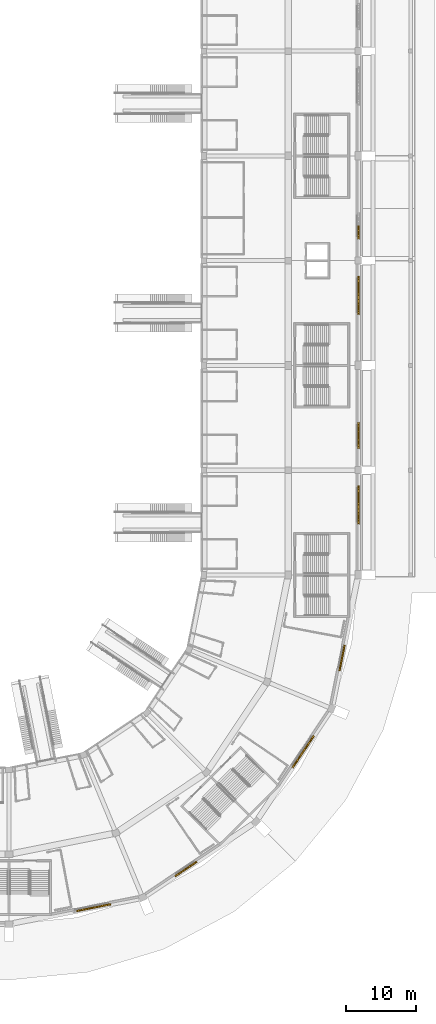
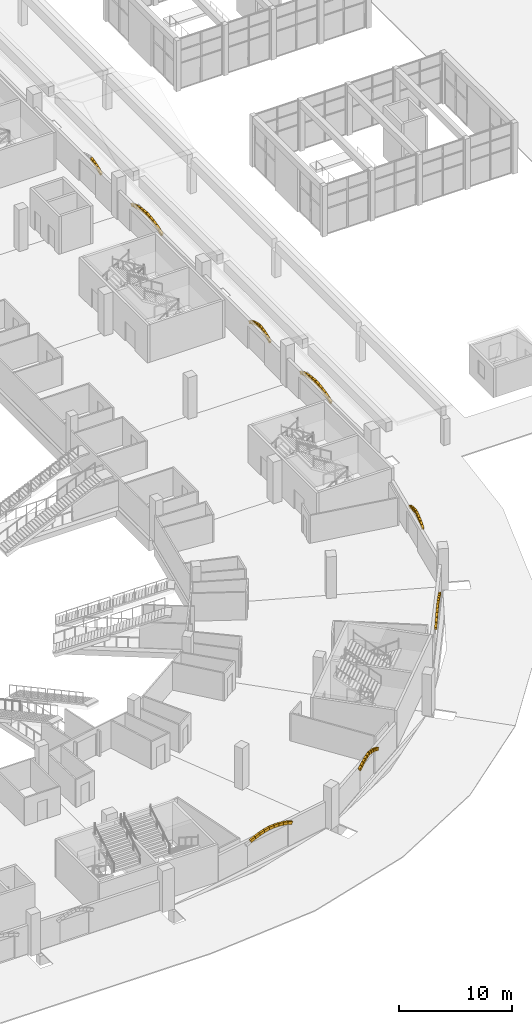
# One storey, part 171 of 175: 74 coverings.
"""IFC4 building model written with IfcOpenShell, lengths in metres."""

from ifc_helpers import new_model, si_unit, direction, frame, origin, origin_2d, place, context, subcontext, project, spatial, rectangle, extrude, material, material_profile, profile_set, type_object, element, save


model = new_model("IFC4")

# Units and contexts
model_context = context("Model", 3, precision=1e-05, world=origin(), true_north=direction((0.0, 1.0)))
body_context = subcontext(model_context, "Body", "Model", "MODEL_VIEW")
ifc_project = project(units=[si_unit("LENGTHUNIT", "METRE"), si_unit("AREAUNIT", "SQUARE_METRE"), si_unit("VOLUMEUNIT", "CUBIC_METRE"), si_unit("PLANEANGLEUNIT", "RADIAN"), si_unit("MASSUNIT", "GRAM", prefix="KILO")], contexts=[model_context])

# Site, building, storey
site_placement = place(None, origin())
site = spatial("IfcSite", under=ifc_project, at=site_placement, CompositionType="ELEMENT")
building_placement = place(site_placement, origin())
building = spatial("IfcBuilding", under=site, at=building_placement, Name="Ogive Plaza Stadium", CompositionType="ELEMENT")
storey_placement = place(building_placement, origin())
storey = spatial("IfcBuildingStorey", under=building, at=storey_placement, Name="L00", CompositionType="ELEMENT", Elevation=0.0)

# Coverings
ifc_material = material(Name="Cast stone (reconstituted limestone)", Category="masonry")
ifc_material_profile = material_profile(ifc_material, rectangle(XDim=0.199951171875, YDim=0.300048828125, at=origin_2d()), Name="Cast stone 200x300")
ifc_profile_set = profile_set([ifc_material_profile], Name="Cast stone (reconstituted limestone)")
covering_type = type_object("IfcCoveringType", Name="Portal arch rib 200x300", PredefinedType="MOLDING", material=ifc_profile_set)
covering_1_placement = place(storey_placement, frame((84.050048828125, -2.564208984375, 3.147705078125), z_axis=(0.0, -0.984068736563, -0.177788418406), x_axis=(1.0, 0.0, 0.0)))
element("IfcCovering", 1, at=covering_1_placement, inside=storey, type_object=covering_type, Name="PORTAL ARCH B04 6", PredefinedType="MOLDING", context=body_context, shape_type="SweptSolid", body=[
    extrude(rectangle(XDim=0.199951171875, YDim=0.300048828125, at=origin_2d()), origin(), (0.0, 0.0, 1.0), 0.3720703125),
])
covering_2_placement = place(storey_placement, frame((84.050048828125, -2.94140625, 3.0791015625), z_axis=(0.0, -0.967943772802, -0.251166981696), x_axis=(1.0, 0.0, 0.0)))
element("IfcCovering", 2, at=covering_2_placement, inside=storey, type_object=covering_type, Name="PORTAL ARCH B04 7", PredefinedType="MOLDING", context=body_context, shape_type="SweptSolid", body=[
    extrude(rectangle(XDim=0.199951171875, YDim=0.300048828125, at=origin_2d()), origin(), (0.0, 0.0, 1.0), 0.372314453125),
])
for number, where, z_axis, x_axis, name in (
    (3, (84.050048828125, -3.3125, 2.982177734375), (0.0, -0.946026425691, -0.324089496735), (1.0, 0.0, 0.0), "PORTAL ARCH B04 8"),
    (4, (84.050048828125, -3.67529296875, 2.857421875), (0.0, -0.91866918758, -0.395027750659), (1.0, 0.0, 0.0), "PORTAL ARCH B04 9"),
):
    element("IfcCovering", number, at=place(storey_placement, frame(where, z_axis=z_axis, x_axis=x_axis)), inside=storey, type_object=covering_type, Name=name, PredefinedType="MOLDING", context=body_context, shape_type="SweptSolid", body=[
        extrude(rectangle(XDim=0.199951171875, YDim=0.300048828125, at=origin_2d()), origin(), (0.0, 0.0, 1.0), 0.3720703125),
    ])
covering_3_placement = place(storey_placement, frame((84.050048828125, -4.02734375, 2.70556640625), z_axis=(0.0, -0.886011177193, -0.463663880293), x_axis=(1.0, 0.0, 0.0)))
element("IfcCovering", 5, at=covering_3_placement, inside=storey, type_object=covering_type, Name="PORTAL ARCH B04 10", PredefinedType="MOLDING", context=body_context, shape_type="SweptSolid", body=[
    extrude(rectangle(XDim=0.199951171875, YDim=0.300048828125, at=origin_2d()), origin(), (0.0, 0.0, 1.0), 0.372314453125),
])
covering_4_placement = place(storey_placement, frame((84.050048828125, -9.75830078125, 2.539794921875), z_axis=(0.0, -0.932339785038, 0.361583358627), x_axis=(1.0, 0.0, 0.0)))
element("IfcCovering", 6, at=covering_4_placement, inside=storey, type_object=covering_type, Name="PORTAL ARCH B05 1", PredefinedType="MOLDING", context=body_context, shape_type="SweptSolid", body=[
    extrude(rectangle(XDim=0.199951171875, YDim=0.300048828125, at=origin_2d()), origin(), (0.0, 0.0, 1.0), 0.546142578125),
])
covering_5_placement = place(storey_placement, frame((84.050048828125, -10.278076171875, 2.740966796875), z_axis=(0.0, -0.956375841274, 0.292139093972), x_axis=(1.0, 0.0, 0.0)))
element("IfcCovering", 7, at=covering_5_placement, inside=storey, type_object=covering_type, Name="PORTAL ARCH B05 2", PredefinedType="MOLDING", context=body_context, shape_type="SweptSolid", body=[
    extrude(rectangle(XDim=0.199951171875, YDim=0.300048828125, at=origin_2d()), origin(), (0.0, 0.0, 1.0), 0.546630859375),
])
covering_6_placement = place(storey_placement, frame((84.050048828125, -10.811279296875, 2.9033203125), z_axis=(0.0, -0.975242447538, 0.221138347014), x_axis=(1.0, 0.0, 0.0)))
element("IfcCovering", 8, at=covering_6_placement, inside=storey, type_object=covering_type, Name="PORTAL ARCH B05 3", PredefinedType="MOLDING", context=body_context, shape_type="SweptSolid", body=[
    extrude(rectangle(XDim=0.199951171875, YDim=0.300048828125, at=origin_2d()), origin(), (0.0, 0.0, 1.0), 0.54638671875),
])
covering_7_placement = place(storey_placement, frame((84.050048828125, -11.35498046875, 3.026123046875), z_axis=(0.0, -0.988942904622, 0.148296767992), x_axis=(1.0, 0.0, 0.0)))
element("IfcCovering", 9, at=covering_7_placement, inside=storey, type_object=covering_type, Name="PORTAL ARCH B05 4", PredefinedType="MOLDING", context=body_context, shape_type="SweptSolid", body=[
    extrude(rectangle(XDim=0.199951171875, YDim=0.300048828125, at=origin_2d()), origin(), (0.0, 0.0, 1.0), 0.546630859375),
])
for number, where, z_axis, x_axis, name in (
    (10, (84.050048828125, -11.906494140625, 3.1083984375), (0.0, -0.997143198104, 0.075534379417), (1.0, 0.0, 0.0), "PORTAL ARCH B05 5"),
    (11, (84.050048828125, -12.473876953125, 3.149658203125), (0.0, -0.997143198104, -0.075534379417), (1.0, 0.0, 0.0), "PORTAL ARCH B05 6"),
):
    element("IfcCovering", number, at=place(storey_placement, frame(where, z_axis=z_axis, x_axis=x_axis)), inside=storey, type_object=covering_type, Name=name, PredefinedType="MOLDING", context=body_context, shape_type="SweptSolid", body=[
        extrude(rectangle(XDim=0.199951171875, YDim=0.300048828125, at=origin_2d()), origin(), (0.0, 0.0, 1.0), 0.546142578125),
    ])
for number, where, z_axis, x_axis, name in (
    (12, (84.050048828125, -13.029541015625, 3.107177734375), (0.0, -0.988933074819, -0.148362304944), (1.0, 0.0, 0.0), "PORTAL ARCH B05 7"),
    (13, (84.050048828125, -13.580810546875, 3.024169921875), (0.0, -0.975242447538, -0.221138347014), (1.0, 0.0, 0.0), "PORTAL ARCH B05 8"),
):
    element("IfcCovering", number, at=place(storey_placement, frame(where, z_axis=z_axis, x_axis=x_axis)), inside=storey, type_object=covering_type, Name=name, PredefinedType="MOLDING", context=body_context, shape_type="SweptSolid", body=[
        extrude(rectangle(XDim=0.199951171875, YDim=0.300048828125, at=origin_2d()), origin(), (0.0, 0.0, 1.0), 0.54638671875),
    ])
covering_8_placement = place(storey_placement, frame((84.050048828125, -14.124267578125, 2.900634765625), z_axis=(0.0, -0.956375841274, -0.292139093972), x_axis=(1.0, 0.0, 0.0)))
element("IfcCovering", 14, at=covering_8_placement, inside=storey, type_object=covering_type, Name="PORTAL ARCH B05 9", PredefinedType="MOLDING", context=body_context, shape_type="SweptSolid", body=[
    extrude(rectangle(XDim=0.199951171875, YDim=0.300048828125, at=origin_2d()), origin(), (0.0, 0.0, 1.0), 0.546630859375),
])
covering_9_placement = place(storey_placement, frame((84.050048828125, -14.6572265625, 2.7373046875), z_axis=(0.0, -0.932398184034, -0.361432741199), x_axis=(1.0, 0.0, 0.0)))
element("IfcCovering", 15, at=covering_9_placement, inside=storey, type_object=covering_type, Name="PORTAL ARCH B05 10", PredefinedType="MOLDING", context=body_context, shape_type="SweptSolid", body=[
    extrude(rectangle(XDim=0.199951171875, YDim=0.300048828125, at=origin_2d()), origin(), (0.0, 0.0, 1.0), 0.54638671875),
])
covering_10_placement = place(storey_placement, frame((84.050048828125, -30.718017578125, 2.532958984375), z_axis=(0.0, -0.885870063545, 0.463933433279), x_axis=(1.0, 0.0, 0.0)))
element("IfcCovering", 16, at=covering_10_placement, inside=storey, type_object=covering_type, Name="PORTAL ARCH B06 1", PredefinedType="MOLDING", context=body_context, shape_type="SweptSolid", body=[
    extrude(rectangle(XDim=0.199951171875, YDim=0.300048828125, at=origin_2d()), origin(), (0.0, 0.0, 1.0), 0.3720703125),
])
covering_11_placement = place(storey_placement, frame((84.050048828125, -31.057861328125, 2.71044921875), z_axis=(0.0, -0.918771491846, 0.394789748816), x_axis=(1.0, 0.0, 0.0)))
element("IfcCovering", 17, at=covering_11_placement, inside=storey, type_object=covering_type, Name="PORTAL ARCH B06 2", PredefinedType="MOLDING", context=body_context, shape_type="SweptSolid", body=[
    extrude(rectangle(XDim=0.199951171875, YDim=0.300048828125, at=origin_2d()), origin(), (0.0, 0.0, 1.0), 0.372314453125),
])
for number, where, z_axis, x_axis, name in (
    (18, (84.050048828125, -31.410400390625, 2.861572265625), (0.0, -0.946026425691, 0.324089496735), (1.0, 0.0, 0.0), "PORTAL ARCH B06 3"),
    (19, (84.050048828125, -31.7734375, 2.985595703125), (0.0, -0.96790236306, 0.2513265119), (1.0, 0.0, 0.0), "PORTAL ARCH B06 4"),
):
    element("IfcCovering", number, at=place(storey_placement, frame(where, z_axis=z_axis, x_axis=x_axis)), inside=storey, type_object=covering_type, Name=name, PredefinedType="MOLDING", context=body_context, shape_type="SweptSolid", body=[
        extrude(rectangle(XDim=0.199951171875, YDim=0.300048828125, at=origin_2d()), origin(), (0.0, 0.0, 1.0), 0.3720703125),
    ])
covering_12_placement = place(storey_placement, frame((84.050048828125, -32.14453125, 3.08154296875), z_axis=(0.0, -0.984089453269, 0.177673712083), x_axis=(1.0, 0.0, 0.0)))
element("IfcCovering", 20, at=covering_12_placement, inside=storey, type_object=covering_type, Name="PORTAL ARCH B06 5", PredefinedType="MOLDING", context=body_context, shape_type="SweptSolid", body=[
    extrude(rectangle(XDim=0.199951171875, YDim=0.300048828125, at=origin_2d()), origin(), (0.0, 0.0, 1.0), 0.372314453125),
])
covering_13_placement = place(storey_placement, frame((84.050048828125, -32.564208984375, 3.147705078125), z_axis=(0.0, -0.984068736563, -0.177788418406), x_axis=(1.0, 0.0, 0.0)))
element("IfcCovering", 21, at=covering_13_placement, inside=storey, type_object=covering_type, Name="PORTAL ARCH B06 6", PredefinedType="MOLDING", context=body_context, shape_type="SweptSolid", body=[
    extrude(rectangle(XDim=0.199951171875, YDim=0.300048828125, at=origin_2d()), origin(), (0.0, 0.0, 1.0), 0.3720703125),
])
covering_14_placement = place(storey_placement, frame((84.050048828125, -32.94140625, 3.0791015625), z_axis=(0.0, -0.967943772802, -0.251166981696), x_axis=(1.0, 0.0, 0.0)))
element("IfcCovering", 22, at=covering_14_placement, inside=storey, type_object=covering_type, Name="PORTAL ARCH B06 7", PredefinedType="MOLDING", context=body_context, shape_type="SweptSolid", body=[
    extrude(rectangle(XDim=0.199951171875, YDim=0.300048828125, at=origin_2d()), origin(), (0.0, 0.0, 1.0), 0.372314453125),
])
for number, where, z_axis, x_axis, name in (
    (23, (84.050048828125, -33.3125, 2.982177734375), (0.0, -0.946026425691, -0.324089496735), (1.0, 0.0, 0.0), "PORTAL ARCH B06 8"),
    (24, (84.050048828125, -33.67529296875, 2.857421875), (0.0, -0.91866918758, -0.395027750659), (1.0, 0.0, 0.0), "PORTAL ARCH B06 9"),
):
    element("IfcCovering", number, at=place(storey_placement, frame(where, z_axis=z_axis, x_axis=x_axis)), inside=storey, type_object=covering_type, Name=name, PredefinedType="MOLDING", context=body_context, shape_type="SweptSolid", body=[
        extrude(rectangle(XDim=0.199951171875, YDim=0.300048828125, at=origin_2d()), origin(), (0.0, 0.0, 1.0), 0.3720703125),
    ])
covering_15_placement = place(storey_placement, frame((84.050048828125, -34.02734375, 2.70556640625), z_axis=(0.0, -0.886011177193, -0.463663880293), x_axis=(1.0, 0.0, 0.0)))
element("IfcCovering", 25, at=covering_15_placement, inside=storey, type_object=covering_type, Name="PORTAL ARCH B06 10", PredefinedType="MOLDING", context=body_context, shape_type="SweptSolid", body=[
    extrude(rectangle(XDim=0.199951171875, YDim=0.300048828125, at=origin_2d()), origin(), (0.0, 0.0, 1.0), 0.372314453125),
])
covering_16_placement = place(storey_placement, frame((84.050048828125, -39.75830078125, 2.539794921875), z_axis=(0.0, -0.932339785038, 0.361583358627), x_axis=(1.0, 0.0, 0.0)))
element("IfcCovering", 26, at=covering_16_placement, inside=storey, type_object=covering_type, Name="PORTAL ARCH B07 1", PredefinedType="MOLDING", context=body_context, shape_type="SweptSolid", body=[
    extrude(rectangle(XDim=0.199951171875, YDim=0.300048828125, at=origin_2d()), origin(), (0.0, 0.0, 1.0), 0.546142578125),
])
covering_17_placement = place(storey_placement, frame((84.050048828125, -40.278076171875, 2.740966796875), z_axis=(0.0, -0.956375841274, 0.292139093972), x_axis=(1.0, 0.0, 0.0)))
element("IfcCovering", 27, at=covering_17_placement, inside=storey, type_object=covering_type, Name="PORTAL ARCH B07 2", PredefinedType="MOLDING", context=body_context, shape_type="SweptSolid", body=[
    extrude(rectangle(XDim=0.199951171875, YDim=0.300048828125, at=origin_2d()), origin(), (0.0, 0.0, 1.0), 0.546630859375),
])
covering_18_placement = place(storey_placement, frame((84.050048828125, -40.811279296875, 2.9033203125), z_axis=(0.0, -0.975242447538, 0.221138347014), x_axis=(1.0, 0.0, 0.0)))
element("IfcCovering", 28, at=covering_18_placement, inside=storey, type_object=covering_type, Name="PORTAL ARCH B07 3", PredefinedType="MOLDING", context=body_context, shape_type="SweptSolid", body=[
    extrude(rectangle(XDim=0.199951171875, YDim=0.300048828125, at=origin_2d()), origin(), (0.0, 0.0, 1.0), 0.54638671875),
])
covering_19_placement = place(storey_placement, frame((84.050048828125, -41.35498046875, 3.026123046875), z_axis=(0.0, -0.988942904622, 0.148296767992), x_axis=(1.0, 0.0, 0.0)))
element("IfcCovering", 29, at=covering_19_placement, inside=storey, type_object=covering_type, Name="PORTAL ARCH B07 4", PredefinedType="MOLDING", context=body_context, shape_type="SweptSolid", body=[
    extrude(rectangle(XDim=0.199951171875, YDim=0.300048828125, at=origin_2d()), origin(), (0.0, 0.0, 1.0), 0.546630859375),
])
for number, where, z_axis, x_axis, name in (
    (30, (84.050048828125, -41.906494140625, 3.1083984375), (0.0, -0.997143198104, 0.075534379417), (1.0, 0.0, 0.0), "PORTAL ARCH B07 5"),
    (31, (84.050048828125, -42.473876953125, 3.149658203125), (0.0, -0.997143198104, -0.075534379417), (1.0, 0.0, 0.0), "PORTAL ARCH B07 6"),
):
    element("IfcCovering", number, at=place(storey_placement, frame(where, z_axis=z_axis, x_axis=x_axis)), inside=storey, type_object=covering_type, Name=name, PredefinedType="MOLDING", context=body_context, shape_type="SweptSolid", body=[
        extrude(rectangle(XDim=0.199951171875, YDim=0.300048828125, at=origin_2d()), origin(), (0.0, 0.0, 1.0), 0.546142578125),
    ])
for number, where, z_axis, x_axis, name in (
    (32, (84.050048828125, -43.029541015625, 3.107177734375), (0.0, -0.988933074819, -0.148362304944), (1.0, 0.0, 0.0), "PORTAL ARCH B07 7"),
    (33, (84.050048828125, -43.580810546875, 3.024169921875), (0.0, -0.975242447538, -0.221138347014), (1.0, 0.0, 0.0), "PORTAL ARCH B07 8"),
):
    element("IfcCovering", number, at=place(storey_placement, frame(where, z_axis=z_axis, x_axis=x_axis)), inside=storey, type_object=covering_type, Name=name, PredefinedType="MOLDING", context=body_context, shape_type="SweptSolid", body=[
        extrude(rectangle(XDim=0.199951171875, YDim=0.300048828125, at=origin_2d()), origin(), (0.0, 0.0, 1.0), 0.54638671875),
    ])
covering_20_placement = place(storey_placement, frame((84.050048828125, -44.124267578125, 2.900634765625), z_axis=(0.0, -0.956375841274, -0.292139093972), x_axis=(1.0, 0.0, 0.0)))
element("IfcCovering", 34, at=covering_20_placement, inside=storey, type_object=covering_type, Name="PORTAL ARCH B07 9", PredefinedType="MOLDING", context=body_context, shape_type="SweptSolid", body=[
    extrude(rectangle(XDim=0.199951171875, YDim=0.300048828125, at=origin_2d()), origin(), (0.0, 0.0, 1.0), 0.546630859375),
])
covering_21_placement = place(storey_placement, frame((84.050048828125, -44.6572265625, 2.7373046875), z_axis=(0.0, -0.932398184034, -0.361432741199), x_axis=(1.0, 0.0, 0.0)))
element("IfcCovering", 35, at=covering_21_placement, inside=storey, type_object=covering_type, Name="PORTAL ARCH B07 10", PredefinedType="MOLDING", context=body_context, shape_type="SweptSolid", body=[
    extrude(rectangle(XDim=0.199951171875, YDim=0.300048828125, at=origin_2d()), origin(), (0.0, 0.0, 1.0), 0.54638671875),
])
covering_22_placement = place(storey_placement, frame((82.0439453125, -62.589599609375, 2.532958984375), z_axis=(-0.172495438518, -0.86903595451, 0.463704467803), x_axis=(0.980864363446, -0.194692322707, 0.0)))
element("IfcCovering", 36, at=covering_22_placement, inside=storey, type_object=covering_type, Name="PORTAL ARCH B08 1", PredefinedType="MOLDING", context=body_context, shape_type="SweptSolid", body=[
    extrude(rectangle(XDim=0.199951171875, YDim=0.300048828125, at=origin_2d()), origin(), (0.0, 0.0, 1.0), 0.372314453125),
])
for number, where, z_axis, x_axis, name in (
    (37, (81.977783203125, -62.923095703125, 2.71044921875), (-0.179788748999, -0.90091223495, 0.395010317145), (0.980663002383, -0.195704051459, 0.0), "PORTAL ARCH B08 2"),
    (38, (81.908935546875, -63.268798828125, 2.861572265625), (-0.184390466473, -0.927858076845, 0.324159752448), (0.980820050121, -0.194915441361, 0.0), "PORTAL ARCH B08 3"),
    (39, (81.838134765625, -63.624755859375, 2.985595703125), (-0.18894115676, -0.949298103584, 0.251265496664), (0.980762733237, -0.195203640064, 0.0), "PORTAL ARCH B08 4"),
    (40, (81.765625, -63.989013671875, 3.08154296875), (-0.191602287307, -0.965229330918, 0.177822670754), (0.980861768578, -0.194705395258, 0.0), "PORTAL ARCH B08 5"),
    (41, (81.683837890625, -64.400390625, 3.147705078125), (-0.192234251186, -0.965107793495, -0.177800280107), (0.980734230685, -0.19534679102, 0.0), "PORTAL ARCH B08 6"),
    (42, (81.6103515625, -64.7705078125, 3.0791015625), (-0.18894115676, -0.949298103584, -0.251265496664), (0.980762733237, -0.195203640064, 0.0), "PORTAL ARCH B08 7"),
    (43, (81.537841796875, -65.134521484375, 2.982177734375), (-0.184390466473, -0.927858076845, -0.324159752448), (0.980820050121, -0.194915441361, 0.0), "PORTAL ARCH B08 8"),
):
    element("IfcCovering", number, at=place(storey_placement, frame(where, z_axis=z_axis, x_axis=x_axis)), inside=storey, type_object=covering_type, Name=name, PredefinedType="MOLDING", context=body_context, shape_type="SweptSolid", body=[
        extrude(rectangle(XDim=0.199951171875, YDim=0.300048828125, at=origin_2d()), origin(), (0.0, 0.0, 1.0), 0.3720703125),
    ])
for number, where, z_axis, x_axis, name in (
    (44, (81.467041015625, -65.489990234375, 2.857421875), (-0.179047807757, -0.901141713766, -0.394823370951), (0.98082699853, -0.194880473507, 0.0), "PORTAL ARCH B08 9"),
    (45, (81.3984375, -65.83544921875, 2.70556640625), (-0.173131691217, -0.868937465388, -0.463651915494), (0.98072275744, -0.195404383369, 0.0), "PORTAL ARCH B08 10"),
):
    element("IfcCovering", number, at=place(storey_placement, frame(where, z_axis=z_axis, x_axis=x_axis)), inside=storey, type_object=covering_type, Name=name, PredefinedType="MOLDING", context=body_context, shape_type="SweptSolid", body=[
        extrude(rectangle(XDim=0.199951171875, YDim=0.300048828125, at=origin_2d()), origin(), (0.0, 0.0, 1.0), 0.372314453125),
    ])
covering_23_placement = place(storey_placement, frame((77.6201171875, -75.576416015625, 2.539794921875), z_axis=(-0.518233953801, -0.77511716366, 0.361423507436), x_axis=(0.831312417178, -0.55580542013, 0.0)))
element("IfcCovering", 46, at=covering_23_placement, inside=storey, type_object=covering_type, Name="PORTAL ARCH B09 1", PredefinedType="MOLDING", context=body_context, shape_type="SweptSolid", body=[
    extrude(rectangle(XDim=0.199951171875, YDim=0.300048828125, at=origin_2d()), origin(), (0.0, 0.0, 1.0), 0.54638671875),
])
covering_24_placement = place(storey_placement, frame((77.331298828125, -76.008544921875, 2.740966796875), z_axis=(-0.531535251305, -0.795069535565, 0.292121054079), x_axis=(0.831331073324, -0.555777515312, 0.0)))
element("IfcCovering", 47, at=covering_24_placement, inside=storey, type_object=covering_type, Name="PORTAL ARCH B09 2", PredefinedType="MOLDING", context=body_context, shape_type="SweptSolid", body=[
    extrude(rectangle(XDim=0.199951171875, YDim=0.300048828125, at=origin_2d()), origin(), (0.0, 0.0, 1.0), 0.546630859375),
])
for number, where, z_axis, x_axis, name in (
    (48, (77.034912109375, -76.451904296875, 2.9033203125), (-0.54189495829, -0.81083210989, 0.22113602997), (0.831415485573, -0.555651230854, 0.0), "PORTAL ARCH B09 3"),
    (49, (76.73291015625, -76.904052734375, 3.026123046875), (-0.549593466086, -0.822156079348, 0.148345553448), (0.831354528555, -0.555742429414, 0.0), "PORTAL ARCH B09 4"),
    (50, (76.426513671875, -77.362548828125, 3.1083984375), (-0.55414679151, -0.828985724395, 0.075524844972), (0.831360155258, -0.55573401214, 0.0), "PORTAL ARCH B09 5"),
):
    element("IfcCovering", number, at=place(storey_placement, frame(where, z_axis=z_axis, x_axis=x_axis)), inside=storey, type_object=covering_type, Name=name, PredefinedType="MOLDING", context=body_context, shape_type="SweptSolid", body=[
        extrude(rectangle(XDim=0.199951171875, YDim=0.300048828125, at=origin_2d()), origin(), (0.0, 0.0, 1.0), 0.54638671875),
    ])
covering_25_placement = place(storey_placement, frame((76.111328125, -77.834228515625, 3.149658203125), z_axis=(-0.553941556835, -0.829125427005, -0.075496873472), x_axis=(0.831498491688, -0.555527009533, 0.0)))
element("IfcCovering", 51, at=covering_25_placement, inside=storey, type_object=covering_type, Name="PORTAL ARCH B09 6", PredefinedType="MOLDING", context=body_context, shape_type="SweptSolid", body=[
    extrude(rectangle(XDim=0.199951171875, YDim=0.300048828125, at=origin_2d()), origin(), (0.0, 0.0, 1.0), 0.546630859375),
])
covering_26_placement = place(storey_placement, frame((75.802490234375, -78.29638671875, 3.107177734375), z_axis=(-0.549281491744, -0.82235796974, -0.148381981496), x_axis=(0.831563273147, -0.555430034075, 0.0)))
element("IfcCovering", 52, at=covering_26_placement, inside=storey, type_object=covering_type, Name="PORTAL ARCH B09 7", PredefinedType="MOLDING", context=body_context, shape_type="SweptSolid", body=[
    extrude(rectangle(XDim=0.199951171875, YDim=0.300048828125, at=origin_2d()), origin(), (0.0, 0.0, 1.0), 0.546142578125),
])
for number, where, z_axis, x_axis, name in (
    (53, (75.496337890625, -78.754638671875, 3.024169921875), (-0.54189495829, -0.81083210989, -0.22113602997), (0.831415485573, -0.555651230854, 0.0), "PORTAL ARCH B09 8"),
    (54, (75.1943359375, -79.20654296875, 2.900634765625), (-0.531214665949, -0.795258288805, -0.292190404988), (0.831546855489, -0.555454613021, 0.0), "PORTAL ARCH B09 9"),
    (55, (74.898193359375, -79.64990234375, 2.7373046875), (-0.517907069868, -0.775296605885, -0.361507178191), (0.831533797008, -0.555474161805, 0.0), "PORTAL ARCH B09 10"),
):
    element("IfcCovering", number, at=place(storey_placement, frame(where, z_axis=z_axis, x_axis=x_axis)), inside=storey, type_object=covering_type, Name=name, PredefinedType="MOLDING", context=body_context, shape_type="SweptSolid", body=[
        extrude(rectangle(XDim=0.199951171875, YDim=0.300048828125, at=origin_2d()), origin(), (0.0, 0.0, 1.0), 0.54638671875),
    ])
covering_27_placement = place(storey_placement, frame((60.837890625, -93.606689453125, 2.532958984375), z_axis=(-0.736733594682, -0.492030450589, 0.463820704755), x_axis=(0.555383558036, -0.831594314232, 0.0)))
element("IfcCovering", 56, at=covering_27_placement, inside=storey, type_object=covering_type, Name="PORTAL ARCH B10 1", PredefinedType="MOLDING", context=body_context, shape_type="SweptSolid", body=[
    extrude(rectangle(XDim=0.199951171875, YDim=0.300048828125, at=origin_2d()), origin(), (0.0, 0.0, 1.0), 0.3720703125),
])
covering_28_placement = place(storey_placement, frame((60.55517578125, -93.795654296875, 2.71044921875), z_axis=(-0.764051393977, -0.510242046793, 0.394814540064), x_axis=(0.55535894134, -0.831610754063, 0.0)))
element("IfcCovering", 57, at=covering_28_placement, inside=storey, type_object=covering_type, Name="PORTAL ARCH B10 2", PredefinedType="MOLDING", context=body_context, shape_type="SweptSolid", body=[
    extrude(rectangle(XDim=0.199951171875, YDim=0.300048828125, at=origin_2d()), origin(), (0.0, 0.0, 1.0), 0.372314453125),
])
covering_29_placement = place(storey_placement, frame((60.261962890625, -93.991455078125, 2.861572265625), z_axis=(-0.786633308415, -0.525515663086, 0.324100795961), x_axis=(0.555500141576, -0.831516441635, 0.0)))
element("IfcCovering", 58, at=covering_29_placement, inside=storey, type_object=covering_type, Name="PORTAL ARCH B10 3", PredefinedType="MOLDING", context=body_context, shape_type="SweptSolid", body=[
    extrude(rectangle(XDim=0.199951171875, YDim=0.300048828125, at=origin_2d()), origin(), (0.0, 0.0, 1.0), 0.3720703125),
])
covering_30_placement = place(storey_placement, frame((59.960205078125, -94.193115234375, 2.985595703125), z_axis=(-0.804817202858, -0.537638898157, 0.251423318674), x_axis=(0.555482541093, -0.831528199487, 0.0)))
element("IfcCovering", 59, at=covering_30_placement, inside=storey, type_object=covering_type, Name="PORTAL ARCH B10 4", PredefinedType="MOLDING", context=body_context, shape_type="SweptSolid", body=[
    extrude(rectangle(XDim=0.199951171875, YDim=0.300048828125, at=origin_2d()), origin(), (0.0, 0.0, 1.0), 0.371826171875),
])
covering_31_placement = place(storey_placement, frame((59.651611328125, -94.3994140625, 3.08154296875), z_axis=(-0.818499863145, -0.546322424679, 0.177735146564), x_axis=(0.555161506596, -0.831742569305, 0.0)))
element("IfcCovering", 60, at=covering_31_placement, inside=storey, type_object=covering_type, Name="PORTAL ARCH B10 5", PredefinedType="MOLDING", context=body_context, shape_type="SweptSolid", body=[
    extrude(rectangle(XDim=0.199951171875, YDim=0.300048828125, at=origin_2d()), origin(), (0.0, 0.0, 1.0), 0.372314453125),
])
covering_32_placement = place(storey_placement, frame((59.302734375, -94.63232421875, 3.147705078125), z_axis=(-0.817989692207, -0.547075704331, -0.177766805604), x_axis=(0.555930204256, -0.831228974469, 0.0)))
element("IfcCovering", 61, at=covering_32_placement, inside=storey, type_object=covering_type, Name="PORTAL ARCH B10 6", PredefinedType="MOLDING", context=body_context, shape_type="SweptSolid", body=[
    extrude(rectangle(XDim=0.199951171875, YDim=0.300048828125, at=origin_2d()), origin(), (0.0, 0.0, 1.0), 0.3720703125),
])
for number, where, z_axis, x_axis, name in (
    (62, (58.989013671875, -94.842041015625, 3.0791015625), (-0.804764415052, -0.537821369472, -0.251201932327), (0.555638069208, -0.831424281608, 0.0), "PORTAL ARCH B10 7"),
    (63, (58.680419921875, -95.048095703125, 2.982177734375), (-0.786362066074, -0.525990306081, -0.323989041402), (0.555979369769, -0.831196090216, 0.0), "PORTAL ARCH B10 8"),
):
    element("IfcCovering", number, at=place(storey_placement, frame(where, z_axis=z_axis, x_axis=x_axis)), inside=storey, type_object=covering_type, Name=name, PredefinedType="MOLDING", context=body_context, shape_type="SweptSolid", body=[
        extrude(rectangle(XDim=0.199951171875, YDim=0.300048828125, at=origin_2d()), origin(), (0.0, 0.0, 1.0), 0.372314453125),
    ])
for number, where, z_axis, x_axis, name in (
    (64, (58.37890625, -95.249755859375, 2.857421875), (-0.763778212162, -0.510497808472, -0.39501244306), (0.555688769979, -0.831390396215, 0.0), "PORTAL ARCH B10 9"),
    (65, (58.086181640625, -95.4453125, 2.70556640625), (-0.736733594682, -0.492030450589, -0.463820704755), (0.555383558036, -0.831594314232, 0.0), "PORTAL ARCH B10 10"),
):
    element("IfcCovering", number, at=place(storey_placement, frame(where, z_axis=z_axis, x_axis=x_axis)), inside=storey, type_object=covering_type, Name=name, PredefinedType="MOLDING", context=body_context, shape_type="SweptSolid", body=[
        extrude(rectangle(XDim=0.199951171875, YDim=0.300048828125, at=origin_2d()), origin(), (0.0, 0.0, 1.0), 0.3720703125),
    ])
for number, where, z_axis, x_axis, name in (
    (66, (48.526611328125, -99.661376953125, 2.539794921875), (-0.914501215455, -0.181828038442, 0.361422317197), (0.195010300946, -0.98080119419, 0.0), "PORTAL ARCH B11 1"),
    (67, (48.0166015625, -99.762939453125, 2.740966796875), (-0.938006906092, -0.1863501095, 0.292261322813), (0.194857898384, -0.98083148371, 0.0), "PORTAL ARCH B11 2"),
    (68, (47.49365234375, -99.866943359375, 2.9033203125), (-0.956491793133, -0.190315508582, 0.221141259972), (0.195146999561, -0.980774004836, 0.0), "PORTAL ARCH B11 3"),
    (69, (46.96044921875, -99.972900390625, 3.026123046875), (-0.969922653999, -0.193001652016, 0.148325343679), (0.19516039548, -0.980771339322, 0.0), "PORTAL ARCH B11 4"),
    (70, (46.419677734375, -100.08056640625, 3.1083984375), (-0.97802119736, -0.194353230174, 0.075507346895), (0.194909649379, -0.980821201126, 0.0), "PORTAL ARCH B11 5"),
    (71, (45.86328125, -100.191162109375, 3.149658203125), (-0.977936184464, -0.194783086536, -0.075500783542), (0.195340639029, -0.980735456045, 0.0), "PORTAL ARCH B11 6"),
    (72, (45.318115234375, -100.299560546875, 3.107177734375), (-0.969922653999, -0.193001652016, -0.148325343679), (0.19516039548, -0.980771339322, 0.0), "PORTAL ARCH B11 7"),
):
    element("IfcCovering", number, at=place(storey_placement, frame(where, z_axis=z_axis, x_axis=x_axis)), inside=storey, type_object=covering_type, Name=name, PredefinedType="MOLDING", context=body_context, shape_type="SweptSolid", body=[
        extrude(rectangle(XDim=0.199951171875, YDim=0.300048828125, at=origin_2d()), origin(), (0.0, 0.0, 1.0), 0.54638671875),
    ])
covering_33_placement = place(storey_placement, frame((44.77734375, -100.4072265625, 3.024169921875), z_axis=(-0.956453739841, -0.190396865968, -0.221235794963), x_axis=(0.195234714669, -0.980756547869, 0.0)))
element("IfcCovering", 73, at=covering_33_placement, inside=storey, type_object=covering_type, Name="PORTAL ARCH B11 8", PredefinedType="MOLDING", context=body_context, shape_type="SweptSolid", body=[
    extrude(rectangle(XDim=0.199951171875, YDim=0.300048828125, at=origin_2d()), origin(), (0.0, 0.0, 1.0), 0.546142578125),
])
covering_34_placement = place(storey_placement, frame((44.244384765625, -100.51318359375, 2.900634765625), z_axis=(-0.937928708137, -0.186781419724, -0.292236958133), x_axis=(0.195307379443, -0.980742080027, 0.0)))
element("IfcCovering", 74, at=covering_34_placement, inside=storey, type_object=covering_type, Name="PORTAL ARCH B11 9", PredefinedType="MOLDING", context=body_context, shape_type="SweptSolid", body=[
    extrude(rectangle(XDim=0.199951171875, YDim=0.300048828125, at=origin_2d()), origin(), (0.0, 0.0, 1.0), 0.54638671875),
])

save(model, "model.ifc")
